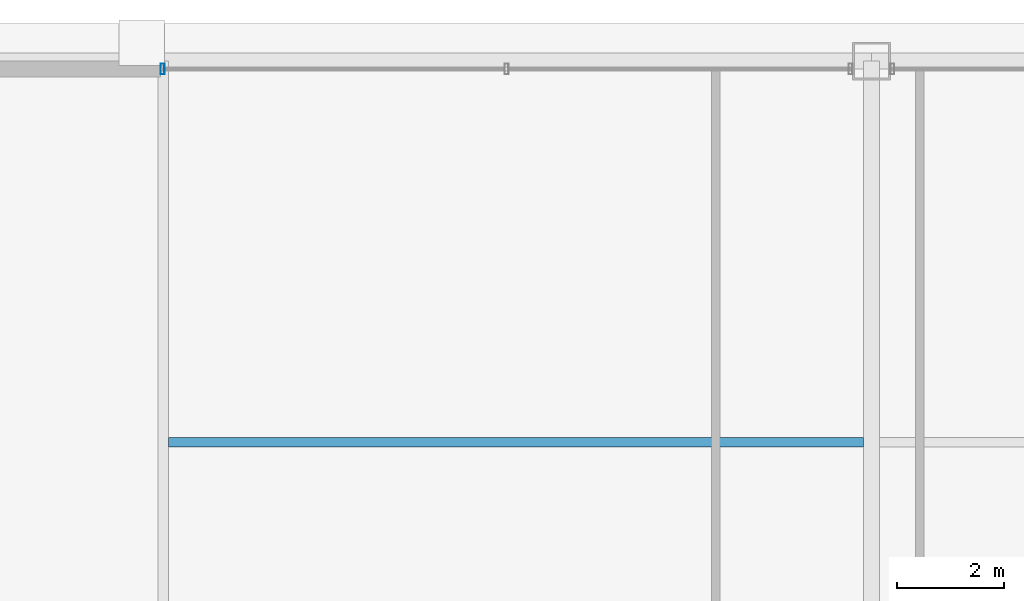
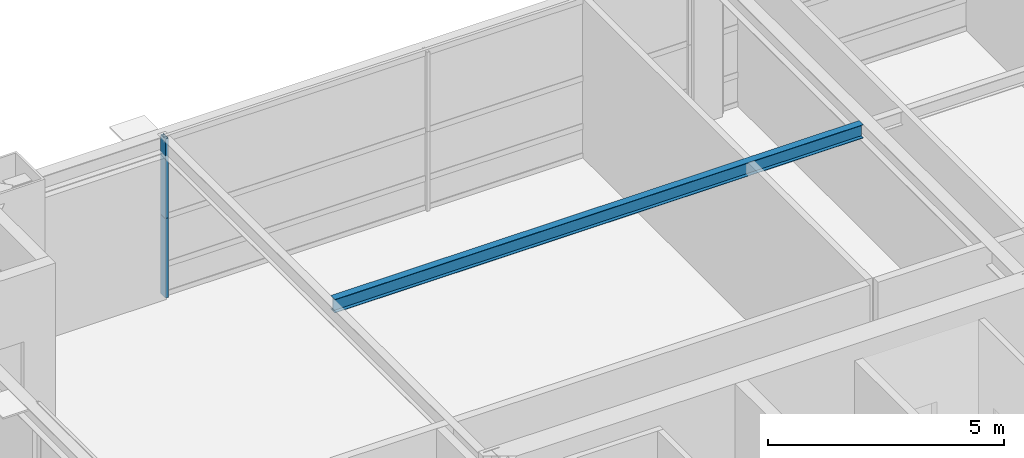
# One storey, part 17 of 26: 2 members, 1 beam, 1 element without a shape of its own.
"""IFC4 building model written with IfcOpenShell, lengths in metres."""

from ifc_helpers import new_model, si_unit, direction, frame, origin, origin_2d, place, context, subcontext, project, spatial, hollow_rectangle, i_section, extrude, source, transform, mapped, material, layer, layer_set, material_profile, profile_set, type_object, element, aggregate, save


model = new_model("IFC4")

# Units and contexts
model_context = context("Model", 3, precision=1e-05, world=origin(), true_north=direction((0.0, 1.0)))
body_context = subcontext(model_context, "Body", "Model", "MODEL_VIEW")
ifc_project = project(units=[si_unit("LENGTHUNIT", "METRE"), si_unit("AREAUNIT", "SQUARE_METRE"), si_unit("VOLUMEUNIT", "CUBIC_METRE"), si_unit("PLANEANGLEUNIT", "RADIAN"), si_unit("MASSUNIT", "GRAM", prefix="KILO"), si_unit("THERMODYNAMICTEMPERATUREUNIT", "KELVIN"), si_unit("POWERUNIT", "WATT")], contexts=[model_context])

# Site, building, storey
site_placement = place(None, origin())
site = spatial("IfcSite", under=ifc_project, at=site_placement, CompositionType="ELEMENT")
building_placement = place(site_placement, origin())
building = spatial("IfcBuilding", under=site, at=building_placement, Name="Yuzanri Waterfront Tower", CompositionType="ELEMENT")
storey_placement = place(building_placement, frame((0.0, 0.0, 259.10009765625)))
storey = spatial("IfcBuildingStorey", under=building, at=storey_placement, Name="L69", CompositionType="ELEMENT", Elevation=259.10009765625)

# Beam
ifc_material_1 = material(Name="Steel Q355B", Category="steel")
ifc_material_profile_1 = material_profile(ifc_material_1, i_section(OverallWidth=0.175048828125, OverallDepth=0.35009765625, WebThickness=0.007080078125, FlangeThickness=0.010986328125, at=origin_2d()), Name="HN 350x175x7x11")
ifc_profile_set_1 = profile_set([ifc_material_profile_1], Name="Steel Q355B")
beam_type = type_object("IfcBeamType", Name="Floor Joist Q355B HN 350x175", PredefinedType="JOIST", material=ifc_profile_set_1)
shared_shape_1 = source(origin(), body_context, "Body", "SweptSolid", [
    extrude(i_section(OverallWidth=0.175048828125, OverallDepth=0.35009765625, WebThickness=0.007080078125, FlangeThickness=0.010986328125, at=origin_2d()), origin(), (0.0, 0.0, 1.0), 12.9501953125),
])
beam_placement = place(storey_placement, frame((23.89990234375, 39.300048828125, 3.94482421875), z_axis=(1.0, 0.0, 0.0), x_axis=(0.0, 1.0, 0.0)))
element("IfcBeam", 1, at=beam_placement, inside=storey, type_object=beam_type, Name="L69 North Bay Joist W", PredefinedType="JOIST", context=body_context, shape_type="MappedRepresentation", body=[
    mapped(shared_shape_1, transform((0.0, 0.0, 0.0), scale=1.0)),
])

# Curtain wall, members
ifc_material_2 = material(Name="Anodized Architectural Bronze", Category="metal")
ifc_layer = layer(ifc_material_2, 0.159912109375)
ifc_layer_set = layer_set([ifc_layer], Name="Anodized Architectural Bronze")
curtain_wall_type = type_object("IfcCurtainWallType", Name="Anodized Bronze Sky-Lobby Triple-Glazed Feature Curtain Wall 7500", PredefinedType="NOTDEFINED", material=ifc_layer_set)
curtain_wall_placement = place(storey_placement, origin())
curtain_wall = element("IfcCurtainWall", 2, at=curtain_wall_placement, inside=storey, type_object=curtain_wall_type, Name="L69 Curtain Wall CW-L69-NL", PredefinedType="NOTDEFINED")
ifc_material_3 = material(Name="Anodized Architectural Bronze", Category="metal")
ifc_material_profile_2 = material_profile(ifc_material_3, hollow_rectangle(XDim=0.074951171875, YDim=0.199951171875, WallThickness=0.00390625, at=origin_2d()), Name="CWM 75x200")
ifc_profile_set_2 = profile_set([ifc_material_profile_2], Name="Anodized Architectural Bronze")
member_type = type_object("IfcMemberType", Name="Anodized Bronze Primary Curtain-Wall Mullion 75x200", PredefinedType="MULLION", material=ifc_profile_set_2)
shared_shape_2 = source(origin(), body_context, "Body", "SweptSolid", [
    extrude(hollow_rectangle(XDim=0.074951171875, YDim=0.199951171875, WallThickness=0.00390625, at=origin_2d()), origin(), (0.0, 0.0, 1.0), 2.057861328125),
])
member_1_placement = place(storey_placement, frame((23.7900390625, 46.25, 0.0), z_axis=(0.0, 0.0, 1.0), x_axis=(1.0, 0.0, 0.0)))
member_1 = element("IfcMember", 3, at=member_1_placement, type_object=member_type, Name="CW-L69-NL Lower Mullion 00", PredefinedType="MULLION", context=body_context, shape_type="MappedRepresentation", body=[
    mapped(shared_shape_2, transform((0.0, 0.0, 0.0), scale=1.0)),
])
member_2_placement = place(storey_placement, frame((23.7900390625, 46.25, 2.06201171875), z_axis=(0.0, 0.0, 1.0), x_axis=(1.0, 0.0, 0.0)))
member_2 = element("IfcMember", 4, at=member_2_placement, type_object=member_type, Name="CW-L69-NL Upper Mullion 00", PredefinedType="MULLION", context=body_context, shape_type="MappedRepresentation", body=[
    mapped(shared_shape_2, transform((0.0, 0.0, 0.0), scale=1.0)),
])
aggregate(curtain_wall, [member_1, member_2])

save(model, "model.ifc")
